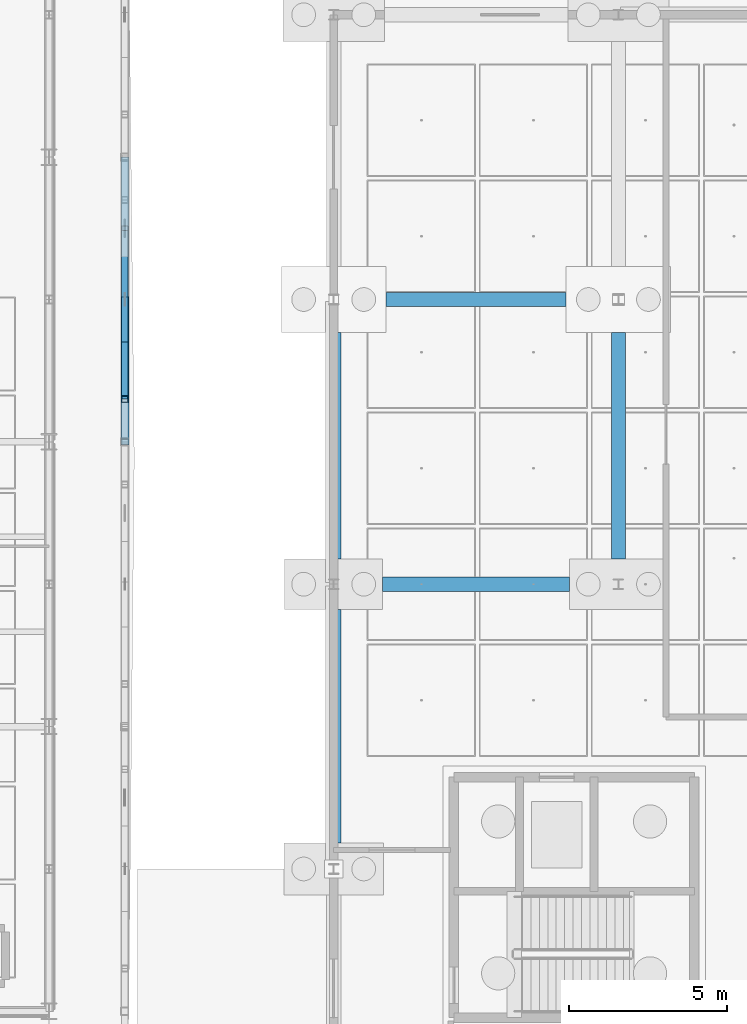
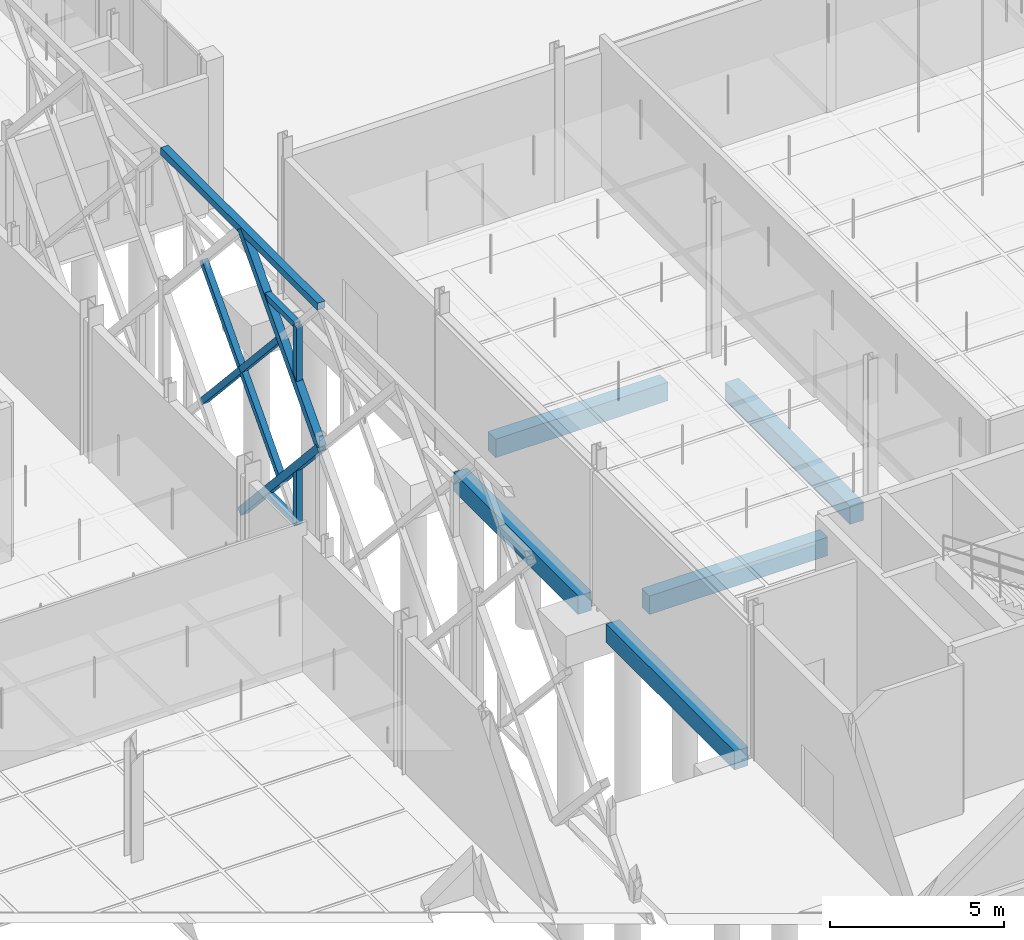
# One storey, part 42 of 180: 10 members, 5 beams.
"""IFC4 building model written with IfcOpenShell, lengths in metres."""

from ifc_helpers import new_model, si_unit, direction, frame, origin, origin_2d, place, context, subcontext, project, spatial, rectangle, hollow_rectangle, extrude, material, material_profile, profile_set, type_object, element, save


model = new_model("IFC4")

# Units and contexts
model_context = context("Model", 3, precision=1e-05, world=origin(), true_north=direction((0.0, 1.0)))
body_context = subcontext(model_context, "Body", "Model", "MODEL_VIEW")
ifc_project = project(units=[si_unit("LENGTHUNIT", "METRE"), si_unit("AREAUNIT", "SQUARE_METRE"), si_unit("VOLUMEUNIT", "CUBIC_METRE"), si_unit("PLANEANGLEUNIT", "RADIAN"), si_unit("MASSUNIT", "GRAM", prefix="KILO"), si_unit("THERMODYNAMICTEMPERATUREUNIT", "KELVIN"), si_unit("POWERUNIT", "WATT")], contexts=[model_context])

# Site, building, storey
site_placement = place(None, origin())
site = spatial("IfcSite", under=ifc_project, at=site_placement, CompositionType="ELEMENT")
building_placement = place(site_placement, origin())
building = spatial("IfcBuilding", under=site, at=building_placement, Name="Tallowbark Science Centre", CompositionType="ELEMENT")
storey_placement = place(building_placement, origin())
storey = spatial("IfcBuildingStorey", under=building, at=storey_placement, Name="L00", CompositionType="ELEMENT", Elevation=0.0)

# Beams
ifc_material_1 = material(Name="Concrete Grade N40 (40 MPa)", Category="concrete")
ifc_material_profile_1 = material_profile(ifc_material_1, rectangle(XDim=0.449951171875, YDim=0.64990234375, at=origin_2d()), Name="RC450x650")
ifc_profile_set_1 = profile_set([ifc_material_profile_1], Name="Concrete Grade N40 (40 MPa)")
beam_type = type_object("IfcBeamType", Name="BM-GB2-N40", PredefinedType="BEAM", material=ifc_profile_set_1)
beam_1_placement = place(storey_placement, frame((114.14990234375, 27.0, -0.5849609375), z_axis=(1.0, 0.0, 0.0), x_axis=(0.0, 1.0, 0.0)))
element("IfcBeam", 1, at=beam_1_placement, inside=storey, type_object=beam_type, Name="Ground Tie Beam GBT-X-239", PredefinedType="BEAM", context=body_context, shape_type="SweptSolid", body=[
    extrude(rectangle(XDim=0.449951171875, YDim=0.64990234375, at=origin_2d()), origin(), (0.0, 0.0, 1.0), 5.7001953125),
])
beam_2_placement = place(storey_placement, frame((114.050048828125, 18.0, -0.5849609375), z_axis=(1.0, 0.0, 0.0), x_axis=(0.0, 1.0, 0.0)))
element("IfcBeam", 2, at=beam_2_placement, inside=storey, type_object=beam_type, Name="Ground Tie Beam GBT-X-259", PredefinedType="BEAM", context=body_context, shape_type="SweptSolid", body=[
    extrude(rectangle(XDim=0.449951171875, YDim=0.64990234375, at=origin_2d()), origin(), (0.0, 0.0, 1.0), 5.89990234375),
])
beam_3_placement = place(storey_placement, frame((112.5, 9.824951171875, -0.5849609375), z_axis=(0.0, 1.0, 0.0), x_axis=(-1.0, 0.0, 0.0)))
element("IfcBeam", 3, at=beam_3_placement, inside=storey, type_object=beam_type, Name="Ground Tie Beam GBT-Y-328", PredefinedType="BEAM", context=body_context, shape_type="SweptSolid", body=[
    extrude(rectangle(XDim=0.449951171875, YDim=0.64990234375, at=origin_2d()), origin(), (0.0, 0.0, 1.0), 7.375),
])
for number, where, z_axis, x_axis, name in (
    (4, (112.5, 18.800048828125, -0.5849609375), (0.0, 1.0, 0.0), (-1.0, 0.0, 0.0), "Ground Tie Beam GBT-Y-329"),
    (5, (121.5, 18.800048828125, -0.5849609375), (0.0, 1.0, 0.0), (-1.0, 0.0, 0.0), "Ground Tie Beam GBT-Y-332"),
):
    element("IfcBeam", number, at=place(storey_placement, frame(where, z_axis=z_axis, x_axis=x_axis)), inside=storey, type_object=beam_type, Name=name, PredefinedType="BEAM", context=body_context, shape_type="SweptSolid", body=[
        extrude(rectangle(XDim=0.449951171875, YDim=0.64990234375, at=origin_2d()), origin(), (0.0, 0.0, 1.0), 7.14990234375),
    ])

# Members
ifc_material_2 = material(Name="White Architectural Painted Steel Grade C350L0 (350 MPa)", Category="steel")
ifc_material_profile_2 = material_profile(ifc_material_2, hollow_rectangle(XDim=0.25, YDim=0.25, WallThickness=0.009033203125, at=origin_2d()), Name="250x250x9.0SHS")
ifc_profile_set_2 = profile_set([ifc_material_profile_2], Name="White Architectural Painted Steel Grade C350L0 (350 MPa)")
member_type_1 = type_object("IfcMemberType", Name="SCR-CHD200", PredefinedType="CHORD", material=ifc_profile_set_2)
member_1_placement = place(storey_placement, frame((105.89990234375, 22.5, 9.89990234375), z_axis=(0.0, 1.0, 0.0), x_axis=(-1.0, 0.0, 0.0)))
element("IfcMember", 6, at=member_1_placement, inside=storey, type_object=member_type_1, Name="Star Screen Frame Chord E-14", PredefinedType="CHORD", context=body_context, shape_type="SweptSolid", body=[
    extrude(hollow_rectangle(XDim=0.25, YDim=0.25, WallThickness=0.009033203125, at=origin_2d()), origin(), (0.0, 0.0, 1.0), 9.0),
])
for number, where, z_axis, x_axis, name in (
    (7, (105.89990234375, 27.0, 9.89990234375), (0.0, -0.672676426978, -0.739936770669), (1.0, 0.0, 0.0), "Star Screen Octagram Diamond Chord E-14-3"),
    (8, (105.89990234375, 22.5, 4.949951171875), (0.0, 0.672676426978, -0.739936770669), (-1.0, 0.0, 0.0), "Star Screen Octagram Diamond Chord E-14-4"),
):
    element("IfcMember", number, at=place(storey_placement, frame(where, z_axis=z_axis, x_axis=x_axis)), inside=storey, type_object=member_type_1, Name=name, PredefinedType="CHORD", context=body_context, shape_type="SweptSolid", body=[
        extrude(hollow_rectangle(XDim=0.25, YDim=0.25, WallThickness=0.009033203125, at=origin_2d()), origin(), (0.0, 0.0, 1.0), 6.689697265625),
    ])
ifc_material_profile_3 = material_profile(ifc_material_2, hollow_rectangle(XDim=0.199951171875, YDim=0.199951171875, WallThickness=0.009033203125, at=origin_2d()), Name="200x200x9.0SHS")
ifc_profile_set_3 = profile_set([ifc_material_profile_3], Name="White Architectural Painted Steel Grade C350L0 (350 MPa)")
member_type_2 = type_object("IfcMemberType", Name="SCR-STAR139", PredefinedType="BRACE", material=ifc_profile_set_3)
member_2_placement = place(storey_placement, frame((105.89990234375, 24.75, 2.47509765625), z_axis=(0.0, 0.672676426978, 0.739936770669), x_axis=(-1.0, 0.0, 0.0)))
element("IfcMember", 9, at=member_2_placement, inside=storey, type_object=member_type_2, Name="Star Screen Continuous X-Diagonal D1M E-14", PredefinedType="BRACE", context=body_context, shape_type="SweptSolid", body=[
    extrude(hollow_rectangle(XDim=0.199951171875, YDim=0.199951171875, WallThickness=0.009033203125, at=origin_2d()), origin(), (0.0, 0.0, 1.0), 6.689697265625),
])
member_3_placement = place(storey_placement, frame((105.89990234375, 24.75, 7.425048828125), z_axis=(0.0, 0.672658262301, -0.739953283768), x_axis=(-1.0, 0.0, 0.0)))
element("IfcMember", 10, at=member_3_placement, inside=storey, type_object=member_type_2, Name="Star Screen Split X-Diagonal D2B E-14", PredefinedType="BRACE", context=body_context, shape_type="SweptSolid", body=[
    extrude(hollow_rectangle(XDim=0.199951171875, YDim=0.199951171875, WallThickness=0.009033203125, at=origin_2d()), origin(), (0.0, 0.0, 1.0), 3.344970703125),
])
member_4_placement = place(storey_placement, frame((105.89990234375, 27.0, 4.949951171875), z_axis=(0.0, 0.672694592231, -0.739920256233), x_axis=(-1.0, 0.0, 0.0)))
element("IfcMember", 11, at=member_4_placement, inside=storey, type_object=member_type_2, Name="Star Screen Split X-Diagonal D2C E-14", PredefinedType="BRACE", context=body_context, shape_type="SweptSolid", body=[
    extrude(hollow_rectangle(XDim=0.199951171875, YDim=0.199951171875, WallThickness=0.009033203125, at=origin_2d()), origin(), (0.0, 0.0, 1.0), 3.3447265625),
])
ifc_material_profile_4 = material_profile(ifc_material_2, hollow_rectangle(XDim=0.199951171875, YDim=0.199951171875, WallThickness=0.009033203125, at=origin_2d()), Name="200x200x9.0SHS")
ifc_profile_set_4 = profile_set([ifc_material_profile_4], Name="White Architectural Painted Steel Grade C350L0 (350 MPa)")
member_type_3 = type_object("IfcMemberType", Name="SCR-SUB150", PredefinedType="BRACE", material=ifc_profile_set_4)
member_5_placement = place(storey_placement, frame((105.89990234375, 23.85009765625, 1.485107421875), z_axis=(0.0, 1.0, 0.0), x_axis=(-1.0, 0.0, 0.0)))
element("IfcMember", 12, at=member_5_placement, inside=storey, type_object=member_type_3, Name="Star Screen Octagram Point Ray E-14-1", PredefinedType="BRACE", context=body_context, shape_type="SweptSolid", body=[
    extrude(hollow_rectangle(XDim=0.199951171875, YDim=0.199951171875, WallThickness=0.009033203125, at=origin_2d()), origin(), (0.0, 0.0, 1.0), 1.7998046875),
])
member_6_placement = place(storey_placement, frame((105.89990234375, 23.85009765625, 1.485107421875), z_axis=(0.0, 0.0, 1.0), x_axis=(1.0, 0.0, 0.0)))
element("IfcMember", 13, at=member_6_placement, inside=storey, type_object=member_type_3, Name="Star Screen Octagram Point Ray E-14-2", PredefinedType="BRACE", context=body_context, shape_type="SweptSolid", body=[
    extrude(hollow_rectangle(XDim=0.199951171875, YDim=0.199951171875, WallThickness=0.009033203125, at=origin_2d()), origin(), (0.0, 0.0, 1.0), 1.97998046875),
])
member_7_placement = place(storey_placement, frame((105.89990234375, 23.85009765625, 8.4150390625), z_axis=(0.0, 1.0, 0.0), x_axis=(-1.0, 0.0, 0.0)))
element("IfcMember", 14, at=member_7_placement, inside=storey, type_object=member_type_3, Name="Star Screen Octagram Point Ray E-14-7", PredefinedType="BRACE", context=body_context, shape_type="SweptSolid", body=[
    extrude(hollow_rectangle(XDim=0.199951171875, YDim=0.199951171875, WallThickness=0.009033203125, at=origin_2d()), origin(), (0.0, 0.0, 1.0), 1.7998046875),
])
member_8_placement = place(storey_placement, frame((105.89990234375, 23.85009765625, 8.4150390625), z_axis=(0.0, 0.0, -1.0), x_axis=(1.0, 0.0, 0.0)))
element("IfcMember", 15, at=member_8_placement, inside=storey, type_object=member_type_3, Name="Star Screen Octagram Point Ray E-14-8", PredefinedType="BRACE", context=body_context, shape_type="SweptSolid", body=[
    extrude(hollow_rectangle(XDim=0.199951171875, YDim=0.199951171875, WallThickness=0.009033203125, at=origin_2d()), origin(), (0.0, 0.0, 1.0), 1.97998046875),
])

save(model, "model.ifc")
